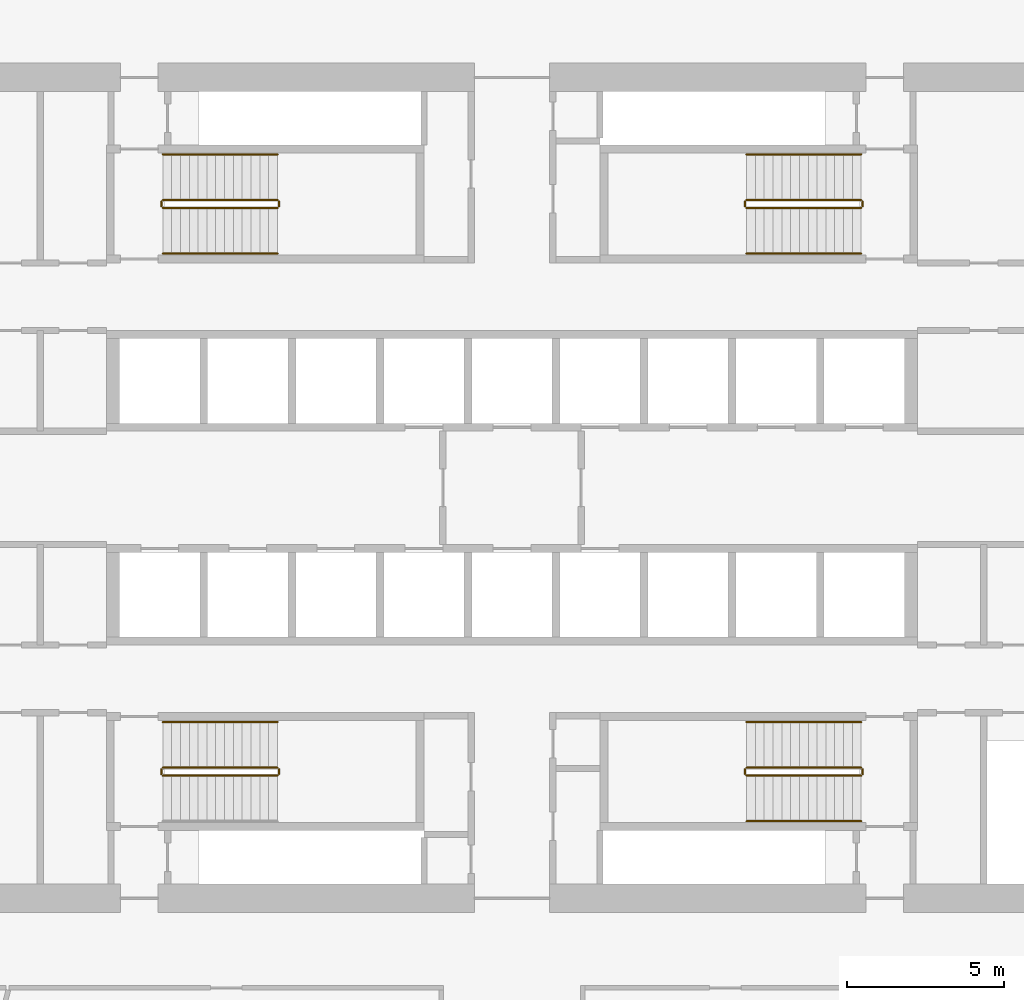
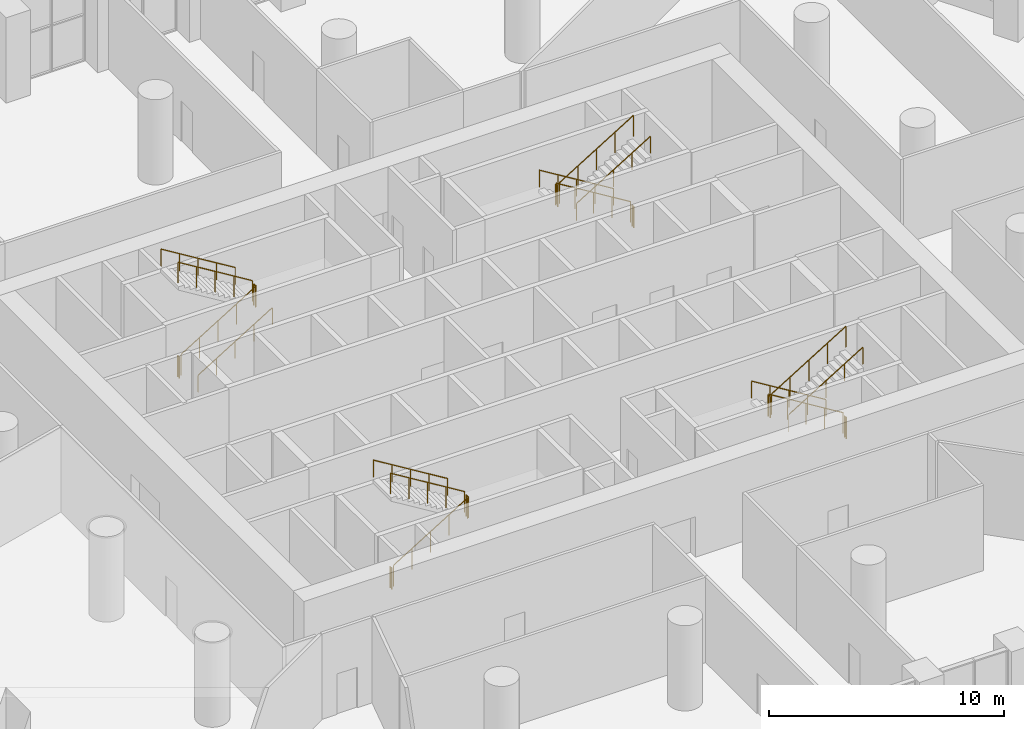
# One storey, part 13 of 13: 23 railings.
"""IFC4 building model written with IfcOpenShell, lengths in metres."""

from ifc_helpers import new_model, si_unit, direction, frame, origin, origin_2d, place, context, subcontext, project, spatial, circle, extrude, material, type_object, element, save


model = new_model("IFC4")

# Units and contexts
model_context = context("Model", 3, precision=1e-05, world=origin(), true_north=direction((0.0, 1.0)))
body_context = subcontext(model_context, "Body", "Model", "MODEL_VIEW")
ifc_project = project(units=[si_unit("LENGTHUNIT", "METRE"), si_unit("AREAUNIT", "SQUARE_METRE"), si_unit("VOLUMEUNIT", "CUBIC_METRE"), si_unit("PLANEANGLEUNIT", "RADIAN"), si_unit("MASSUNIT", "GRAM", prefix="KILO")], contexts=[model_context])

# Site, building, storey
site_placement = place(None, origin())
site = spatial("IfcSite", under=ifc_project, at=site_placement, CompositionType="ELEMENT")
building_placement = place(site_placement, origin())
building = spatial("IfcBuilding", under=site, at=building_placement, Name="Dhurran Vertical Campus", CompositionType="ELEMENT")
storey_placement = place(building_placement, frame((0.0, 0.0, 25.199951171875)))
storey = spatial("IfcBuildingStorey", under=building, at=storey_placement, Name="L05", CompositionType="ELEMENT", Elevation=25.199951171875)

# Railings
ifc_material_1 = material(Name="Stainless steel balustrade", Category="steel")
railing_type_1 = type_object("IfcRailingType", Name="co-RL-GUARD-1100", PredefinedType="GUARDRAIL", material=ifc_material_1)
railing_1_placement = place(storey_placement, frame((-11.10009765625, 8.89990234375, 0.17138671875)))
element("IfcRailing", 1, at=railing_1_placement, inside=storey, type_object=railing_type_1, Name="L05 ST1 stair guard 1", PredefinedType="GUARDRAIL", context=body_context, shape_type="SweptSolid", body=[
    extrude(circle(Radius=0.02392578125, at=origin_2d()), frame((0.0, 0.0, 1.076171875), z_axis=(0.852840387347, 0.0, 0.522171689878), x_axis=(0.0, 1.0, 0.0)), (0.0, 0.0, 1.0), 4.268310546875),
    extrude(circle(Radius=0.02099609375, at=origin_2d()), origin(), (0.0, 0.0, 1.0), 1.052001953125),
    extrude(circle(Radius=0.02099609375, at=origin_2d()), frame((0.91015625, 0.0, 0.55712890625)), (0.0, 0.0, 1.0), 1.052001953125),
    extrude(circle(Radius=0.02099609375, at=origin_2d()), frame((1.820068359375, 0.0, 1.1142578125)), (0.0, 0.0, 1.0), 1.052001953125),
    extrude(circle(Radius=0.02099609375, at=origin_2d()), frame((2.72998046875, 0.0, 1.671630859375)), (0.0, 0.0, 1.0), 1.052001953125),
    extrude(circle(Radius=0.02099609375, at=origin_2d()), frame((3.64013671875, 0.0, 2.228759765625)), (0.0, 0.0, 1.0), 1.052001953125),
])
railing_2_placement = place(storey_placement, frame((-7.409912109375, 8.949951171875, 2.400146484375)))
element("IfcRailing", 2, at=railing_2_placement, inside=storey, type_object=railing_type_1, Name="L05 ST1 stair guard 2", PredefinedType="GUARDRAIL", context=body_context, shape_type="SweptSolid", body=[
    extrude(circle(Radius=0.02392578125, at=origin_2d()), frame((0.0, 0.0, 1.076171875), z_axis=(0.0, 1.0, 0.0), x_axis=(-1.0, 0.0, 0.0)), (0.0, 0.0, 1.0), 0.150146484375),
    extrude(circle(Radius=0.02099609375, at=origin_2d()), origin(), (0.0, 0.0, 1.0), 1.052001953125),
    extrude(circle(Radius=0.02099609375, at=origin_2d()), frame((0.0, 0.150146484375, 0.0)), (0.0, 0.0, 1.0), 1.052001953125),
])
railing_3_placement = place(storey_placement, frame((-7.4599609375, 9.14990234375, 2.571533203125)))
element("IfcRailing", 3, at=railing_3_placement, inside=storey, type_object=railing_type_1, Name="L05 ST1 stair guard 3", PredefinedType="GUARDRAIL", context=body_context, shape_type="SweptSolid", body=[
    extrude(circle(Radius=0.02392578125, at=origin_2d()), frame((0.0, 0.0, 1.076171875), z_axis=(-0.852865859571, 0.0, 0.52213008492), x_axis=(0.0, -1.0, 0.0)), (0.0, 0.0, 1.0), 4.26806640625),
    extrude(circle(Radius=0.02099609375, at=origin_2d()), origin(), (0.0, 0.0, 1.0), 1.052001953125),
    extrude(circle(Radius=0.02099609375, at=origin_2d()), frame((-0.91015625, 0.0, 0.55712890625)), (0.0, 0.0, 1.0), 1.052001953125),
    extrude(circle(Radius=0.02099609375, at=origin_2d()), frame((-1.820068359375, 0.0, 1.1142578125)), (0.0, 0.0, 1.0), 1.052001953125),
    extrude(circle(Radius=0.02099609375, at=origin_2d()), frame((-2.72998046875, 0.0, 1.67138671875)), (0.0, 0.0, 1.0), 1.052001953125),
    extrude(circle(Radius=0.02099609375, at=origin_2d()), frame((-3.64013671875, 0.0, 2.228515625)), (0.0, 0.0, 1.0), 1.052001953125),
])
railing_4_placement = place(storey_placement, frame((-11.14990234375, 8.949951171875, 0.0)))
element("IfcRailing", 4, at=railing_4_placement, inside=storey, type_object=railing_type_1, Name="L05 ST1 stair guard 4", PredefinedType="GUARDRAIL", context=body_context, shape_type="SweptSolid", body=[
    extrude(circle(Radius=0.02392578125, at=origin_2d()), frame((0.0, 0.0, 1.076171875), z_axis=(0.0, 1.0, 0.0), x_axis=(-1.0, 0.0, 0.0)), (0.0, 0.0, 1.0), 0.150146484375),
    extrude(circle(Radius=0.02099609375, at=origin_2d()), origin(), (0.0, 0.0, 1.0), 1.052001953125),
    extrude(circle(Radius=0.02099609375, at=origin_2d()), frame((0.0, 0.150146484375, 0.0)), (0.0, 0.0, 1.0), 1.052001953125),
])
railing_5_placement = place(storey_placement, frame((11.10009765625, 9.14990234375, 0.17138671875)))
element("IfcRailing", 5, at=railing_5_placement, inside=storey, type_object=railing_type_1, Name="L05 ST2 stair guard 1", PredefinedType="GUARDRAIL", context=body_context, shape_type="SweptSolid", body=[
    extrude(circle(Radius=0.02392578125, at=origin_2d()), frame((0.0, 0.0, 1.076171875), z_axis=(-0.852840387347, 0.0, 0.522171689878), x_axis=(0.0, -1.0, 0.0)), (0.0, 0.0, 1.0), 4.268310546875),
    extrude(circle(Radius=0.02099609375, at=origin_2d()), origin(), (0.0, 0.0, 1.0), 1.052001953125),
    extrude(circle(Radius=0.02099609375, at=origin_2d()), frame((-0.91015625, 0.0, 0.55712890625)), (0.0, 0.0, 1.0), 1.052001953125),
    extrude(circle(Radius=0.02099609375, at=origin_2d()), frame((-1.820068359375, 0.0, 1.1142578125)), (0.0, 0.0, 1.0), 1.052001953125),
    extrude(circle(Radius=0.02099609375, at=origin_2d()), frame((-2.72998046875, 0.0, 1.671630859375)), (0.0, 0.0, 1.0), 1.052001953125),
    extrude(circle(Radius=0.02099609375, at=origin_2d()), frame((-3.64013671875, 0.0, 2.228759765625)), (0.0, 0.0, 1.0), 1.052001953125),
])
railing_6_placement = place(storey_placement, frame((7.409912109375, 9.10009765625, 2.400146484375)))
element("IfcRailing", 6, at=railing_6_placement, inside=storey, type_object=railing_type_1, Name="L05 ST2 stair guard 2", PredefinedType="GUARDRAIL", context=body_context, shape_type="SweptSolid", body=[
    extrude(circle(Radius=0.02392578125, at=origin_2d()), frame((0.0, 0.0, 1.076171875), z_axis=(0.0, -1.0, 0.0), x_axis=(1.0, 0.0, 0.0)), (0.0, 0.0, 1.0), 0.150146484375),
    extrude(circle(Radius=0.02099609375, at=origin_2d()), origin(), (0.0, 0.0, 1.0), 1.052001953125),
    extrude(circle(Radius=0.02099609375, at=origin_2d()), frame((0.0, -0.150146484375, 0.0)), (0.0, 0.0, 1.0), 1.052001953125),
])
railing_7_placement = place(storey_placement, frame((7.4599609375, 8.89990234375, 2.571533203125)))
element("IfcRailing", 7, at=railing_7_placement, inside=storey, type_object=railing_type_1, Name="L05 ST2 stair guard 3", PredefinedType="GUARDRAIL", context=body_context, shape_type="SweptSolid", body=[
    extrude(circle(Radius=0.02392578125, at=origin_2d()), frame((0.0, 0.0, 1.076171875), z_axis=(0.852865859571, 0.0, 0.52213008492), x_axis=(0.0, 1.0, 0.0)), (0.0, 0.0, 1.0), 4.26806640625),
    extrude(circle(Radius=0.02099609375, at=origin_2d()), origin(), (0.0, 0.0, 1.0), 1.052001953125),
    extrude(circle(Radius=0.02099609375, at=origin_2d()), frame((0.91015625, 0.0, 0.55712890625)), (0.0, 0.0, 1.0), 1.052001953125),
    extrude(circle(Radius=0.02099609375, at=origin_2d()), frame((1.820068359375, 0.0, 1.1142578125)), (0.0, 0.0, 1.0), 1.052001953125),
    extrude(circle(Radius=0.02099609375, at=origin_2d()), frame((2.72998046875, 0.0, 1.67138671875)), (0.0, 0.0, 1.0), 1.052001953125),
    extrude(circle(Radius=0.02099609375, at=origin_2d()), frame((3.64013671875, 0.0, 2.228515625)), (0.0, 0.0, 1.0), 1.052001953125),
])
railing_8_placement = place(storey_placement, frame((11.14990234375, 9.10009765625, 0.0)))
element("IfcRailing", 8, at=railing_8_placement, inside=storey, type_object=railing_type_1, Name="L05 ST2 stair guard 4", PredefinedType="GUARDRAIL", context=body_context, shape_type="SweptSolid", body=[
    extrude(circle(Radius=0.02392578125, at=origin_2d()), frame((0.0, 0.0, 1.076171875), z_axis=(0.0, -1.0, 0.0), x_axis=(1.0, 0.0, 0.0)), (0.0, 0.0, 1.0), 0.150146484375),
    extrude(circle(Radius=0.02099609375, at=origin_2d()), origin(), (0.0, 0.0, 1.0), 1.052001953125),
    extrude(circle(Radius=0.02099609375, at=origin_2d()), frame((0.0, -0.150146484375, 0.0)), (0.0, 0.0, 1.0), 1.052001953125),
])
railing_9_placement = place(storey_placement, frame((-11.10009765625, -9.14990234375, 0.17138671875)))
element("IfcRailing", 9, at=railing_9_placement, inside=storey, type_object=railing_type_1, Name="L05 ST3 stair guard 1", PredefinedType="GUARDRAIL", context=body_context, shape_type="SweptSolid", body=[
    extrude(circle(Radius=0.02392578125, at=origin_2d()), frame((0.0, 0.0, 1.076171875), z_axis=(0.852840387347, 0.0, 0.522171689878), x_axis=(0.0, 1.0, 0.0)), (0.0, 0.0, 1.0), 4.268310546875),
    extrude(circle(Radius=0.02099609375, at=origin_2d()), origin(), (0.0, 0.0, 1.0), 1.052001953125),
    extrude(circle(Radius=0.02099609375, at=origin_2d()), frame((0.91015625, 0.0, 0.55712890625)), (0.0, 0.0, 1.0), 1.052001953125),
    extrude(circle(Radius=0.02099609375, at=origin_2d()), frame((1.820068359375, 0.0, 1.1142578125)), (0.0, 0.0, 1.0), 1.052001953125),
    extrude(circle(Radius=0.02099609375, at=origin_2d()), frame((2.72998046875, 0.0, 1.671630859375)), (0.0, 0.0, 1.0), 1.052001953125),
    extrude(circle(Radius=0.02099609375, at=origin_2d()), frame((3.64013671875, 0.0, 2.228759765625)), (0.0, 0.0, 1.0), 1.052001953125),
])
railing_10_placement = place(storey_placement, frame((-7.409912109375, -9.10009765625, 2.400146484375)))
element("IfcRailing", 10, at=railing_10_placement, inside=storey, type_object=railing_type_1, Name="L05 ST3 stair guard 2", PredefinedType="GUARDRAIL", context=body_context, shape_type="SweptSolid", body=[
    extrude(circle(Radius=0.02392578125, at=origin_2d()), frame((0.0, 0.0, 1.076171875), z_axis=(0.0, 1.0, 0.0), x_axis=(-1.0, 0.0, 0.0)), (0.0, 0.0, 1.0), 0.150146484375),
    extrude(circle(Radius=0.02099609375, at=origin_2d()), origin(), (0.0, 0.0, 1.0), 1.052001953125),
    extrude(circle(Radius=0.02099609375, at=origin_2d()), frame((0.0, 0.150146484375, 0.0)), (0.0, 0.0, 1.0), 1.052001953125),
])
railing_11_placement = place(storey_placement, frame((-7.4599609375, -8.89990234375, 2.571533203125)))
element("IfcRailing", 11, at=railing_11_placement, inside=storey, type_object=railing_type_1, Name="L05 ST3 stair guard 3", PredefinedType="GUARDRAIL", context=body_context, shape_type="SweptSolid", body=[
    extrude(circle(Radius=0.02392578125, at=origin_2d()), frame((0.0, 0.0, 1.076171875), z_axis=(-0.852865859571, 0.0, 0.52213008492), x_axis=(0.0, -1.0, 0.0)), (0.0, 0.0, 1.0), 4.26806640625),
    extrude(circle(Radius=0.02099609375, at=origin_2d()), origin(), (0.0, 0.0, 1.0), 1.052001953125),
    extrude(circle(Radius=0.02099609375, at=origin_2d()), frame((-0.91015625, 0.0, 0.55712890625)), (0.0, 0.0, 1.0), 1.052001953125),
    extrude(circle(Radius=0.02099609375, at=origin_2d()), frame((-1.820068359375, 0.0, 1.1142578125)), (0.0, 0.0, 1.0), 1.052001953125),
    extrude(circle(Radius=0.02099609375, at=origin_2d()), frame((-2.72998046875, 0.0, 1.67138671875)), (0.0, 0.0, 1.0), 1.052001953125),
    extrude(circle(Radius=0.02099609375, at=origin_2d()), frame((-3.64013671875, 0.0, 2.228515625)), (0.0, 0.0, 1.0), 1.052001953125),
])
railing_12_placement = place(storey_placement, frame((-11.14990234375, -9.10009765625, 0.0)))
element("IfcRailing", 12, at=railing_12_placement, inside=storey, type_object=railing_type_1, Name="L05 ST3 stair guard 4", PredefinedType="GUARDRAIL", context=body_context, shape_type="SweptSolid", body=[
    extrude(circle(Radius=0.02392578125, at=origin_2d()), frame((0.0, 0.0, 1.076171875), z_axis=(0.0, 1.0, 0.0), x_axis=(-1.0, 0.0, 0.0)), (0.0, 0.0, 1.0), 0.150146484375),
    extrude(circle(Radius=0.02099609375, at=origin_2d()), origin(), (0.0, 0.0, 1.0), 1.052001953125),
    extrude(circle(Radius=0.02099609375, at=origin_2d()), frame((0.0, 0.150146484375, 0.0)), (0.0, 0.0, 1.0), 1.052001953125),
])
railing_13_placement = place(storey_placement, frame((11.10009765625, -8.89990234375, 0.17138671875)))
element("IfcRailing", 13, at=railing_13_placement, inside=storey, type_object=railing_type_1, Name="L05 ST4 stair guard 1", PredefinedType="GUARDRAIL", context=body_context, shape_type="SweptSolid", body=[
    extrude(circle(Radius=0.02392578125, at=origin_2d()), frame((0.0, 0.0, 1.076171875), z_axis=(-0.852840387347, 0.0, 0.522171689878), x_axis=(0.0, -1.0, 0.0)), (0.0, 0.0, 1.0), 4.268310546875),
    extrude(circle(Radius=0.02099609375, at=origin_2d()), origin(), (0.0, 0.0, 1.0), 1.052001953125),
    extrude(circle(Radius=0.02099609375, at=origin_2d()), frame((-0.91015625, 0.0, 0.55712890625)), (0.0, 0.0, 1.0), 1.052001953125),
    extrude(circle(Radius=0.02099609375, at=origin_2d()), frame((-1.820068359375, 0.0, 1.1142578125)), (0.0, 0.0, 1.0), 1.052001953125),
    extrude(circle(Radius=0.02099609375, at=origin_2d()), frame((-2.72998046875, 0.0, 1.671630859375)), (0.0, 0.0, 1.0), 1.052001953125),
    extrude(circle(Radius=0.02099609375, at=origin_2d()), frame((-3.64013671875, 0.0, 2.228759765625)), (0.0, 0.0, 1.0), 1.052001953125),
])
railing_14_placement = place(storey_placement, frame((7.409912109375, -8.949951171875, 2.400146484375)))
element("IfcRailing", 14, at=railing_14_placement, inside=storey, type_object=railing_type_1, Name="L05 ST4 stair guard 2", PredefinedType="GUARDRAIL", context=body_context, shape_type="SweptSolid", body=[
    extrude(circle(Radius=0.02392578125, at=origin_2d()), frame((0.0, 0.0, 1.076171875), z_axis=(0.0, -1.0, 0.0), x_axis=(1.0, 0.0, 0.0)), (0.0, 0.0, 1.0), 0.150146484375),
    extrude(circle(Radius=0.02099609375, at=origin_2d()), origin(), (0.0, 0.0, 1.0), 1.052001953125),
    extrude(circle(Radius=0.02099609375, at=origin_2d()), frame((0.0, -0.150146484375, 0.0)), (0.0, 0.0, 1.0), 1.052001953125),
])
railing_15_placement = place(storey_placement, frame((7.4599609375, -9.14990234375, 2.571533203125)))
element("IfcRailing", 15, at=railing_15_placement, inside=storey, type_object=railing_type_1, Name="L05 ST4 stair guard 3", PredefinedType="GUARDRAIL", context=body_context, shape_type="SweptSolid", body=[
    extrude(circle(Radius=0.02392578125, at=origin_2d()), frame((0.0, 0.0, 1.076171875), z_axis=(0.852865859571, 0.0, 0.52213008492), x_axis=(0.0, 1.0, 0.0)), (0.0, 0.0, 1.0), 4.26806640625),
    extrude(circle(Radius=0.02099609375, at=origin_2d()), origin(), (0.0, 0.0, 1.0), 1.052001953125),
    extrude(circle(Radius=0.02099609375, at=origin_2d()), frame((0.91015625, 0.0, 0.55712890625)), (0.0, 0.0, 1.0), 1.052001953125),
    extrude(circle(Radius=0.02099609375, at=origin_2d()), frame((1.820068359375, 0.0, 1.1142578125)), (0.0, 0.0, 1.0), 1.052001953125),
    extrude(circle(Radius=0.02099609375, at=origin_2d()), frame((2.72998046875, 0.0, 1.67138671875)), (0.0, 0.0, 1.0), 1.052001953125),
    extrude(circle(Radius=0.02099609375, at=origin_2d()), frame((3.64013671875, 0.0, 2.228515625)), (0.0, 0.0, 1.0), 1.052001953125),
])
railing_16_placement = place(storey_placement, frame((11.14990234375, -8.949951171875, 0.0)))
element("IfcRailing", 16, at=railing_16_placement, inside=storey, type_object=railing_type_1, Name="L05 ST4 stair guard 4", PredefinedType="GUARDRAIL", context=body_context, shape_type="SweptSolid", body=[
    extrude(circle(Radius=0.02392578125, at=origin_2d()), frame((0.0, 0.0, 1.076171875), z_axis=(0.0, -1.0, 0.0), x_axis=(1.0, 0.0, 0.0)), (0.0, 0.0, 1.0), 0.150146484375),
    extrude(circle(Radius=0.02099609375, at=origin_2d()), origin(), (0.0, 0.0, 1.0), 1.052001953125),
    extrude(circle(Radius=0.02099609375, at=origin_2d()), frame((0.0, -0.150146484375, 0.0)), (0.0, 0.0, 1.0), 1.052001953125),
])
ifc_material_2 = material(Name="Stainless steel handrail", Category="steel")
railing_type_2 = type_object("IfcRailingType", Name="co-RL-HANDRAIL-900", PredefinedType="HANDRAIL", material=ifc_material_2)
railing_17_placement = place(storey_placement, frame((-11.10009765625, 7.449951171875, 0.17138671875)))
element("IfcRailing", 17, at=railing_17_placement, inside=storey, type_object=railing_type_2, Name="L05 ST1 stair handrail 1", PredefinedType="HANDRAIL", context=body_context, shape_type="SweptSolid", body=[
    extrude(circle(Radius=0.02392578125, at=origin_2d()), frame((0.0, 0.0, 0.8759765625), z_axis=(0.852840387347, 0.0, 0.522171689878), x_axis=(0.0, 1.0, 0.0)), (0.0, 0.0, 1.0), 4.268310546875),
    extrude(circle(Radius=0.02099609375, at=origin_2d()), origin(), (0.0, 0.0, 1.0), 0.851806640625),
    extrude(circle(Radius=0.02099609375, at=origin_2d()), frame((0.91015625, 0.0, 0.55712890625)), (0.0, 0.0, 1.0), 0.851806640625),
    extrude(circle(Radius=0.02099609375, at=origin_2d()), frame((1.820068359375, 0.0, 1.1142578125)), (0.0, 0.0, 1.0), 0.851806640625),
    extrude(circle(Radius=0.02099609375, at=origin_2d()), frame((2.72998046875, 0.0, 1.671630859375)), (0.0, 0.0, 1.0), 0.851806640625),
    extrude(circle(Radius=0.02099609375, at=origin_2d()), frame((3.64013671875, 0.0, 2.228759765625)), (0.0, 0.0, 1.0), 0.851806640625),
])
railing_18_placement = place(storey_placement, frame((-7.4599609375, 10.60009765625, 2.571533203125)))
element("IfcRailing", 18, at=railing_18_placement, inside=storey, type_object=railing_type_2, Name="L05 ST1 stair handrail 2", PredefinedType="HANDRAIL", context=body_context, shape_type="SweptSolid", body=[
    extrude(circle(Radius=0.02392578125, at=origin_2d()), frame((0.0, 0.0, 0.8759765625), z_axis=(-0.852865859571, 0.0, 0.52213008492), x_axis=(0.0, -1.0, 0.0)), (0.0, 0.0, 1.0), 4.26806640625),
    extrude(circle(Radius=0.02099609375, at=origin_2d()), origin(), (0.0, 0.0, 1.0), 0.851806640625),
    extrude(circle(Radius=0.02099609375, at=origin_2d()), frame((-0.91015625, 0.0, 0.55712890625)), (0.0, 0.0, 1.0), 0.851806640625),
    extrude(circle(Radius=0.02099609375, at=origin_2d()), frame((-1.820068359375, 0.0, 1.1142578125)), (0.0, 0.0, 1.0), 0.851806640625),
    extrude(circle(Radius=0.02099609375, at=origin_2d()), frame((-2.72998046875, 0.0, 1.67138671875)), (0.0, 0.0, 1.0), 0.851806640625),
    extrude(circle(Radius=0.02099609375, at=origin_2d()), frame((-3.64013671875, 0.0, 2.228515625)), (0.0, 0.0, 1.0), 0.851806640625),
])
railing_19_placement = place(storey_placement, frame((11.10009765625, 10.60009765625, 0.17138671875)))
element("IfcRailing", 19, at=railing_19_placement, inside=storey, type_object=railing_type_2, Name="L05 ST2 stair handrail 1", PredefinedType="HANDRAIL", context=body_context, shape_type="SweptSolid", body=[
    extrude(circle(Radius=0.02392578125, at=origin_2d()), frame((0.0, 0.0, 0.8759765625), z_axis=(-0.852840387347, 0.0, 0.522171689878), x_axis=(0.0, -1.0, 0.0)), (0.0, 0.0, 1.0), 4.268310546875),
    extrude(circle(Radius=0.02099609375, at=origin_2d()), origin(), (0.0, 0.0, 1.0), 0.851806640625),
    extrude(circle(Radius=0.02099609375, at=origin_2d()), frame((-0.91015625, 0.0, 0.55712890625)), (0.0, 0.0, 1.0), 0.851806640625),
    extrude(circle(Radius=0.02099609375, at=origin_2d()), frame((-1.820068359375, 0.0, 1.1142578125)), (0.0, 0.0, 1.0), 0.851806640625),
    extrude(circle(Radius=0.02099609375, at=origin_2d()), frame((-2.72998046875, 0.0, 1.671630859375)), (0.0, 0.0, 1.0), 0.851806640625),
    extrude(circle(Radius=0.02099609375, at=origin_2d()), frame((-3.64013671875, 0.0, 2.228759765625)), (0.0, 0.0, 1.0), 0.851806640625),
])
railing_20_placement = place(storey_placement, frame((7.4599609375, 7.449951171875, 2.571533203125)))
element("IfcRailing", 20, at=railing_20_placement, inside=storey, type_object=railing_type_2, Name="L05 ST2 stair handrail 2", PredefinedType="HANDRAIL", context=body_context, shape_type="SweptSolid", body=[
    extrude(circle(Radius=0.02392578125, at=origin_2d()), frame((0.0, 0.0, 0.8759765625), z_axis=(0.852865859571, 0.0, 0.52213008492), x_axis=(0.0, 1.0, 0.0)), (0.0, 0.0, 1.0), 4.26806640625),
    extrude(circle(Radius=0.02099609375, at=origin_2d()), origin(), (0.0, 0.0, 1.0), 0.851806640625),
    extrude(circle(Radius=0.02099609375, at=origin_2d()), frame((0.91015625, 0.0, 0.55712890625)), (0.0, 0.0, 1.0), 0.851806640625),
    extrude(circle(Radius=0.02099609375, at=origin_2d()), frame((1.820068359375, 0.0, 1.1142578125)), (0.0, 0.0, 1.0), 0.851806640625),
    extrude(circle(Radius=0.02099609375, at=origin_2d()), frame((2.72998046875, 0.0, 1.67138671875)), (0.0, 0.0, 1.0), 0.851806640625),
    extrude(circle(Radius=0.02099609375, at=origin_2d()), frame((3.64013671875, 0.0, 2.228515625)), (0.0, 0.0, 1.0), 0.851806640625),
])
railing_21_placement = place(storey_placement, frame((-7.4599609375, -7.449951171875, 2.571533203125)))
element("IfcRailing", 21, at=railing_21_placement, inside=storey, type_object=railing_type_2, Name="L05 ST3 stair handrail 2", PredefinedType="HANDRAIL", context=body_context, shape_type="SweptSolid", body=[
    extrude(circle(Radius=0.02392578125, at=origin_2d()), frame((0.0, 0.0, 0.8759765625), z_axis=(-0.852865859571, 0.0, 0.52213008492), x_axis=(0.0, -1.0, 0.0)), (0.0, 0.0, 1.0), 4.26806640625),
    extrude(circle(Radius=0.02099609375, at=origin_2d()), origin(), (0.0, 0.0, 1.0), 0.851806640625),
    extrude(circle(Radius=0.02099609375, at=origin_2d()), frame((-0.91015625, 0.0, 0.55712890625)), (0.0, 0.0, 1.0), 0.851806640625),
    extrude(circle(Radius=0.02099609375, at=origin_2d()), frame((-1.820068359375, 0.0, 1.1142578125)), (0.0, 0.0, 1.0), 0.851806640625),
    extrude(circle(Radius=0.02099609375, at=origin_2d()), frame((-2.72998046875, 0.0, 1.67138671875)), (0.0, 0.0, 1.0), 0.851806640625),
    extrude(circle(Radius=0.02099609375, at=origin_2d()), frame((-3.64013671875, 0.0, 2.228515625)), (0.0, 0.0, 1.0), 0.851806640625),
])
railing_22_placement = place(storey_placement, frame((11.10009765625, -7.449951171875, 0.17138671875)))
element("IfcRailing", 22, at=railing_22_placement, inside=storey, type_object=railing_type_2, Name="L05 ST4 stair handrail 1", PredefinedType="HANDRAIL", context=body_context, shape_type="SweptSolid", body=[
    extrude(circle(Radius=0.02392578125, at=origin_2d()), frame((0.0, 0.0, 0.8759765625), z_axis=(-0.852840387347, 0.0, 0.522171689878), x_axis=(0.0, -1.0, 0.0)), (0.0, 0.0, 1.0), 4.268310546875),
    extrude(circle(Radius=0.02099609375, at=origin_2d()), origin(), (0.0, 0.0, 1.0), 0.851806640625),
    extrude(circle(Radius=0.02099609375, at=origin_2d()), frame((-0.91015625, 0.0, 0.55712890625)), (0.0, 0.0, 1.0), 0.851806640625),
    extrude(circle(Radius=0.02099609375, at=origin_2d()), frame((-1.820068359375, 0.0, 1.1142578125)), (0.0, 0.0, 1.0), 0.851806640625),
    extrude(circle(Radius=0.02099609375, at=origin_2d()), frame((-2.72998046875, 0.0, 1.671630859375)), (0.0, 0.0, 1.0), 0.851806640625),
    extrude(circle(Radius=0.02099609375, at=origin_2d()), frame((-3.64013671875, 0.0, 2.228759765625)), (0.0, 0.0, 1.0), 0.851806640625),
])
railing_23_placement = place(storey_placement, frame((7.4599609375, -10.60009765625, 2.571533203125)))
element("IfcRailing", 23, at=railing_23_placement, inside=storey, type_object=railing_type_2, Name="L05 ST4 stair handrail 2", PredefinedType="HANDRAIL", context=body_context, shape_type="SweptSolid", body=[
    extrude(circle(Radius=0.02392578125, at=origin_2d()), frame((0.0, 0.0, 0.8759765625), z_axis=(0.852865859571, 0.0, 0.52213008492), x_axis=(0.0, 1.0, 0.0)), (0.0, 0.0, 1.0), 4.26806640625),
    extrude(circle(Radius=0.02099609375, at=origin_2d()), origin(), (0.0, 0.0, 1.0), 0.851806640625),
    extrude(circle(Radius=0.02099609375, at=origin_2d()), frame((0.91015625, 0.0, 0.55712890625)), (0.0, 0.0, 1.0), 0.851806640625),
    extrude(circle(Radius=0.02099609375, at=origin_2d()), frame((1.820068359375, 0.0, 1.1142578125)), (0.0, 0.0, 1.0), 0.851806640625),
    extrude(circle(Radius=0.02099609375, at=origin_2d()), frame((2.72998046875, 0.0, 1.67138671875)), (0.0, 0.0, 1.0), 0.851806640625),
    extrude(circle(Radius=0.02099609375, at=origin_2d()), frame((3.64013671875, 0.0, 2.228515625)), (0.0, 0.0, 1.0), 0.851806640625),
])

save(model, "model.ifc")
